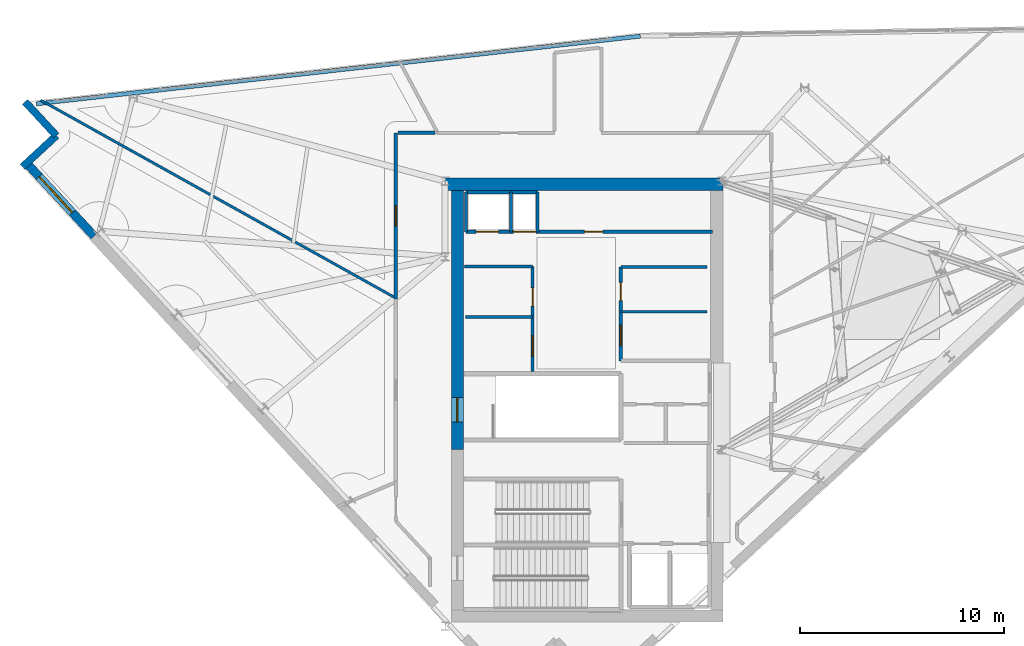
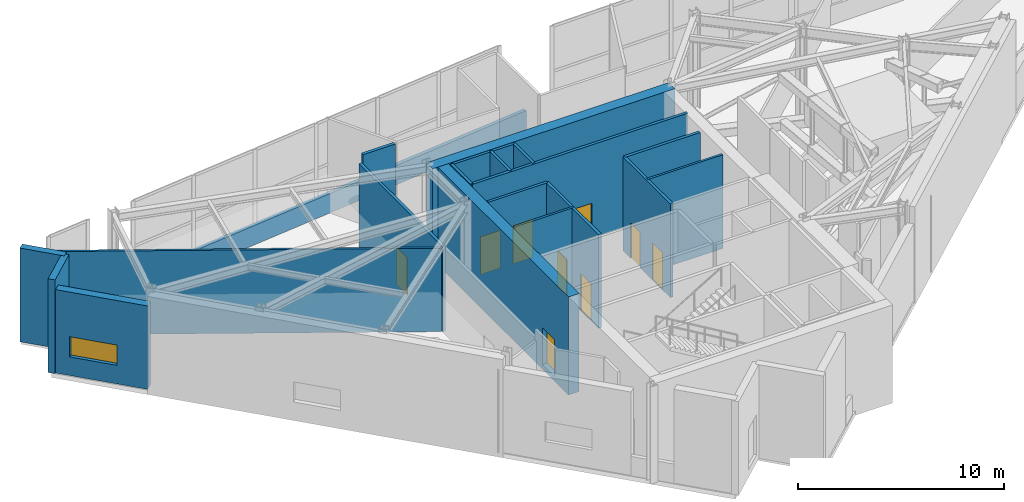
# One storey, part 10 of 15: 20 walls, 9 doors, 1 window, 10 openings.
"""IFC4 building model written with IfcOpenShell, lengths in metres."""

from ifc_helpers import new_model, si_unit, direction, frame, frame_2d, origin, place, context, subcontext, project, spatial, rectangle, extrude, material, layer, layer_set, type_object, element, fill, save


model = new_model("IFC4")

# Units and contexts
model_context = context("Model", 3, precision=1e-05, world=origin(), true_north=direction((0.0, 1.0)))
body_context = subcontext(model_context, "Body", "Model", "MODEL_VIEW")
ifc_project = project(units=[si_unit("LENGTHUNIT", "METRE"), si_unit("AREAUNIT", "SQUARE_METRE"), si_unit("VOLUMEUNIT", "CUBIC_METRE"), si_unit("PLANEANGLEUNIT", "RADIAN"), si_unit("MASSUNIT", "GRAM", prefix="KILO")], contexts=[model_context])

# Site, building, storey
site_placement = place(None, origin())
site = spatial("IfcSite", under=ifc_project, at=site_placement, CompositionType="ELEMENT")
building_placement = place(site_placement, origin())
building = spatial("IfcBuilding", under=site, at=building_placement, Name="Narakoshi Arena Tower", CompositionType="ELEMENT")
storey_placement = place(building_placement, frame((0.0, 0.0, 292.419921875)))
storey = spatial("IfcBuildingStorey", under=building, at=storey_placement, Name="L80", CompositionType="ELEMENT", Elevation=292.419921875)

# Wall, opening, door
ifc_material_1 = material(Name="Concrete C50/60", Category="concrete")
ifc_layer_1 = layer(ifc_material_1, 0.60009765625)
ifc_layer_set_1 = layer_set([ifc_layer_1], Name="Concrete C50/60")
wall_type_1 = type_object("IfcWallType", Name="WL-CORE-600", PredefinedType="SHEAR", material=ifc_layer_set_1)
wall_1_placement = place(storey_placement, frame((72.60009765625, 43.35009765625, -0.260009765625), z_axis=(0.0, 0.0, 1.0), x_axis=(0.0, 1.0, 0.0)))
wall_1 = element("IfcWall", 1, at=wall_1_placement, inside=storey, type_object=wall_type_1, Name="L80 Main Core Shear Wall CW-MN-W", PredefinedType="SHEAR", context=body_context, shape_type="SweptSolid", body=[
    extrude(rectangle(XDim=12.699951171875, YDim=0.60009765625, at=frame_2d((6.35009765625, 0.0))), origin(), (0.0, 0.0, 1.0), 5.820068359375),
])
opening_1_placement = place(wall_1_placement, frame((1.35009765625, 0.0, 0.260009765625)))
opening_1 = element("IfcOpeningElement", 2, at=opening_1_placement, cuts=wall_1, Name="Opening D-03", PredefinedType="OPENING", context=body_context, shape_type="SweptSolid", body=[
    extrude(rectangle(XDim=1.199951171875, YDim=2.199951171875, at=frame_2d((0.60009765625, 1.10009765625))), frame((0.0, 0.31005859375, 0.0), z_axis=(0.0, -1.0, 0.0), x_axis=(1.0, 0.0, 0.0)), (0.0, 0.0, 1.0), 0.6201171875),
])
ifc_material_2 = material(Name="Painted galvanized steel", Category="steel")
door_type_1 = type_object("IfcDoorType", Name="DR-STR-1200", OperationType="NOTDEFINED", PredefinedType="USERDEFINED", material=ifc_material_2)
door_1_placement = place(opening_1_placement, frame((1.199951171875, 0.0, 0.0), z_axis=(0.0, 0.0, 1.0), x_axis=(-1.0, 0.0, 0.0)))
door_1 = element("IfcDoor", 3, at=door_1_placement, inside=storey, type_object=door_type_1, Name="DR-L80-006", ObjectType="EXITDOOR", OperationType="SINGLE_SWING_LEFT", OverallHeight=2.199951171875, OverallWidth=1.199951171875, PredefinedType="USERDEFINED", context=body_context, shape_type="SweptSolid", body=[
    extrude(rectangle(XDim=1.199951171875, YDim=2.199951171875, at=frame_2d((0.60009765625, 1.10009765625))), frame((0.0, 0.02490234375, 0.0), z_axis=(0.0, -1.0, 0.0), x_axis=(1.0, 0.0, 0.0)), (0.0, 0.0, 1.0), 0.050048828125),
])
fill(opening_1, door_1)

# Wall
wall_2_placement = place(storey_placement, frame((72.0, 56.35009765625, -0.260009765625), z_axis=(0.0, 0.0, 1.0), x_axis=(1.0, 0.0, 0.0)))
element("IfcWall", 4, at=wall_2_placement, inside=storey, type_object=wall_type_1, Name="L80 Main Core Shear Wall CW-MN-N", PredefinedType="SHEAR", context=body_context, shape_type="SweptSolid", body=[
    extrude(rectangle(XDim=13.60009765625, YDim=0.60009765625, at=frame_2d((6.800048828125, 0.0))), origin(), (0.0, 0.0, 1.0), 5.820068359375),
])

# Wall, opening, door
ifc_material_3 = material(Name="Gypsum plasterboard fire-rated partition")
ifc_layer_2 = layer(ifc_material_3, 0.1650390625)
ifc_layer_set_2 = layer_set([ifc_layer_2], Name="Gypsum plasterboard fire-rated partition")
wall_type_2 = type_object("IfcWallType", Name="WL-CORR-165", PredefinedType="PARTITIONING", material=ifc_layer_set_2)
wall_3_placement = place(storey_placement, frame((69.583251953125, 58.86669921875, 0.0), z_axis=(0.0, 0.0, 1.0), x_axis=(0.0, -1.0, 0.0)))
wall_3 = element("IfcWall", 5, at=wall_3_placement, inside=storey, type_object=wall_type_2, Name="L80 Corridor Partition 08-1", PredefinedType="PARTITIONING", context=body_context, shape_type="SweptSolid", body=[
    extrude(rectangle(XDim=8.133544921875, YDim=0.1650390625, at=frame_2d((4.06689453125, 0.0))), origin(), (0.0, 0.0, 1.0), 5.045166015625),
])
opening_2_placement = place(wall_3_placement, frame((3.56689453125, 0.0, 0.0)))
opening_2 = element("IfcOpeningElement", 6, at=opening_2_placement, cuts=wall_3, Name="Opening D-06", PredefinedType="OPENING", context=body_context, shape_type="SweptSolid", body=[
    extrude(rectangle(XDim=1.0, YDim=2.199951171875, at=frame_2d((0.5, 1.10009765625))), frame((0.0, 0.092529296875, 0.0), z_axis=(0.0, -1.0, 0.0), x_axis=(1.0, 0.0, 0.0)), (0.0, 0.0, 1.0), 0.18505859375),
])
ifc_material_4 = material(Name="Stained oak solid-core timber", Category="wood")
door_type_2 = type_object("IfcDoorType", Name="DR-OFF-1000", OperationType="NOTDEFINED", PredefinedType="DOOR", material=ifc_material_4)
door_2_placement = place(opening_2_placement, frame((1.0, 0.0, 0.0), z_axis=(0.0, 0.0, 1.0), x_axis=(-1.0, 0.0, 0.0)))
door_2 = element("IfcDoor", 7, at=door_2_placement, inside=storey, type_object=door_type_2, Name="DR-L80-024", OperationType="SINGLE_SWING_LEFT", OverallHeight=2.199951171875, OverallWidth=1.0, PredefinedType="DOOR", context=body_context, shape_type="SweptSolid", body=[
    extrude(rectangle(XDim=1.0, YDim=2.199951171875, at=frame_2d((0.5, 1.10009765625))), frame((0.0, 0.02490234375, 0.0), z_axis=(0.0, -1.0, 0.0), x_axis=(1.0, 0.0, 0.0)), (0.0, 0.0, 1.0), 0.050048828125),
])
fill(opening_2, door_2)

# Walls
wall_4_placement = place(storey_placement, frame((71.499267578125, 58.86669921875, 0.0), z_axis=(0.0, 0.0, 1.0), x_axis=(-1.0, 0.0, 0.0)))
element("IfcWall", 8, at=wall_4_placement, inside=storey, type_object=wall_type_2, Name="L80 Corridor Partition 08-2", PredefinedType="PARTITIONING", context=body_context, shape_type="SweptSolid", body=[
    extrude(rectangle(XDim=1.821533203125, YDim=0.1650390625, at=frame_2d((0.91064453125, 0.0))), origin(), (0.0, 0.0, 1.0), 5.56005859375),
])
ifc_material_5 = material(Name="Precast concrete C45/55", Category="concrete")
ifc_layer_3 = layer(ifc_material_5, 0.25)
ifc_layer_set_3 = layer_set([ifc_layer_3], Name="Precast concrete C45/55")
wall_type_3 = type_object("IfcWallType", Name="WL-PARA-250", PredefinedType="PARAPET", material=ifc_layer_set_3)
wall_5_placement = place(storey_placement, frame((81.556640625, 63.603759765625, 0.0), z_axis=(0.0, 0.0, 1.0), x_axis=(-0.993775831398, -0.111398370403, 0.0)))
element("IfcWall", 9, at=wall_5_placement, inside=storey, type_object=wall_type_3, Name="L80 Hypotenuse Sill Upstand Parapet 2-01", PredefinedType="PARAPET", context=body_context, shape_type="SweptSolid", body=[
    extrude(rectangle(XDim=29.76416015625, YDim=0.199951171875, at=frame_2d((14.882080078125, 0.0))), origin(), (0.0, 0.0, 1.0), 1.150146484375),
])
ifc_layer_4 = layer(ifc_material_3, 0.125)
ifc_layer_set_4 = layer_set([ifc_layer_4], Name="Gypsum plasterboard fire-rated partition")
wall_type_4 = type_object("IfcWallType", Name="WL-PART-125", PredefinedType="PARTITIONING", material=ifc_layer_set_4)
wall_6_placement = place(storey_placement, frame((73.0, 49.85009765625, 0.0), z_axis=(0.0, 0.0, 1.0), x_axis=(1.0, 0.0, 0.0)))
element("IfcWall", 10, at=wall_6_placement, inside=storey, type_object=wall_type_4, Name="L80 Core Wall RCL-LR-D0", PredefinedType="PARTITIONING", context=body_context, shape_type="SweptSolid", body=[
    extrude(rectangle(XDim=3.280029296875, YDim=0.125, at=frame_2d((1.64013671875, 0.0))), origin(), (0.0, 0.0, 1.0), 5.56005859375),
])
wall_7_placement = place(storey_placement, frame((80.60009765625, 50.10009765625, 0.0), z_axis=(0.0, 0.0, 1.0), x_axis=(1.0, 0.0, 0.0)))
element("IfcWall", 11, at=wall_7_placement, inside=storey, type_object=wall_type_4, Name="L80 Core Wall RCL-MR-D", PredefinedType="PARTITIONING", context=body_context, shape_type="SweptSolid", body=[
    extrude(rectangle(XDim=4.219970703125, YDim=0.125, at=frame_2d((2.10986328125, 0.0))), origin(), (0.0, 0.0, 1.0), 5.56005859375),
])
wall_8_placement = place(storey_placement, frame((69.48876953125, 50.8271484375, 0.0), z_axis=(0.0, 0.0, 1.0), x_axis=(-0.873486229604, 0.486848854053, 0.0)))
element("IfcWall", 12, at=wall_8_placement, inside=storey, type_object=wall_type_4, Name="L80 Inter-Room Partition 08-09", PredefinedType="PARTITIONING", context=body_context, shape_type="SweptSolid", body=[
    extrude(rectangle(XDim=19.8115234375, YDim=0.125, at=frame_2d((9.90576171875, 0.0))), origin(), (0.0, 0.0, 1.0), 4.945068359375),
])

# Wall, opening, window
ifc_layer_5 = layer(ifc_material_5, 0.419921875)
ifc_layer_set_5 = layer_set([ifc_layer_5], Name="Precast concrete C45/55")
wall_type_5 = type_object("IfcWallType", Name="WL-POD-420", PredefinedType="SOLIDWALL", material=ifc_layer_set_5)
wall_9_placement = place(storey_placement, frame((51.5, 57.38720703125, 0.0), z_axis=(0.0, 0.0, 1.0), x_axis=(0.67880684669, -0.734316869537, 0.0)))
wall_9 = element("IfcWall", 13, at=wall_9_placement, inside=storey, type_object=wall_type_5, Name="L80 Architectural Concrete Facade Wall LEGB-1", PredefinedType="SOLIDWALL", context=body_context, shape_type="SweptSolid", body=[
    extrude(rectangle(XDim=4.86865234375, YDim=0.419921875, at=frame_2d((2.434326171875, 0.0))), origin(), (0.0, 0.0, 1.0), 4.945068359375),
])
opening_3_placement = place(wall_9_placement, frame((0.89990234375, 0.0, 1.10009765625)))
opening_3 = element("IfcOpeningElement", 14, at=opening_3_placement, cuts=wall_9, Name="Opening WN-04", PredefinedType="OPENING", context=body_context, shape_type="SweptSolid", body=[
    extrude(rectangle(XDim=2.39990234375, YDim=1.199951171875, at=frame_2d((1.199951171875, 0.60009765625))), frame((0.0, 0.219970703125, 0.0), z_axis=(0.0, -1.0, 0.0), x_axis=(1.0, 0.0, 0.0)), (0.0, 0.0, 1.0), 0.43994140625),
])
ifc_material_6 = material(Name="Bronze-tinted low-E laminated glass", Category="glass")
window_type = type_object("IfcWindowType", Name="WIN-SLT-24x12", PartitioningType="SINGLE_PANEL", PredefinedType="WINDOW", material=ifc_material_6)
window_placement = place(opening_3_placement, origin())
window = element("IfcWindow", 15, at=window_placement, inside=storey, type_object=window_type, Name="L80 LEGB1 Horizontal Slot Window 1", OverallHeight=1.199951171875, OverallWidth=2.39990234375, PartitioningType="SINGLE_PANEL", PredefinedType="WINDOW", context=body_context, shape_type="SweptSolid", body=[
    extrude(rectangle(XDim=2.39990234375, YDim=1.199951171875, at=frame_2d((1.199951171875, 0.60009765625))), frame((0.0, 0.030029296875, 0.0), z_axis=(0.0, -1.0, 0.0), x_axis=(1.0, 0.0, 0.0)), (0.0, 0.0, 1.0), 0.06005859375),
])
fill(opening_3, window)

# Walls
for number, where, z_axis, x_axis, name in (
    (16, (51.42333984375, 60.38720703125, 0.0), (0.0, 0.0, 1.0), (0.678792531533, -0.734330102294, 0.0), "L80 Re-Entrant Corner Notch Wall NTN-1"),
    (17, (52.9541015625, 58.731201171875, 0.0), (0.0, 0.0, 1.0), (-0.734330102294, -0.678792531533, 0.0), "L80 Re-Entrant Corner Notch Wall NTN-2"),
):
    element("IfcWall", number, at=place(storey_placement, frame(where, z_axis=z_axis, x_axis=x_axis)), inside=storey, type_object=wall_type_5, Name=name, PredefinedType="SOLIDWALL", context=body_context, shape_type="SweptSolid", body=[
        extrude(rectangle(XDim=2.255126953125, YDim=0.360107421875, at=frame_2d((1.12744140625, 0.0))), origin(), (0.0, 0.0, 1.0), 5.56005859375),
    ])
ifc_material_7 = material(Name="Concrete C40/50", Category="concrete")
ifc_layer_6 = layer(ifc_material_7, 0.280029296875)
ifc_layer_set_6 = layer_set([ifc_layer_6], Name="Concrete C40/50")
wall_type_6 = type_object("IfcWallType", Name="WL-RISER-280", PredefinedType="PLUMBINGWALL", material=ifc_layer_set_6)
for number, where, z_axis, x_axis, name in (
    (18, (73.02001953125, 54.02001953125, 0.0), (0.0, 0.0, 1.0), (0.0, 1.0, 0.0), "L80 Core Wall OBS-W"),
    (19, (75.219970703125, 54.02001953125, 0.0), (0.0, 0.0, 1.0), (0.0, 1.0, 0.0), "L80 Core Wall OBS-M"),
):
    element("IfcWall", number, at=place(storey_placement, frame(where, z_axis=z_axis, x_axis=x_axis)), inside=storey, type_object=wall_type_6, Name=name, PredefinedType="PLUMBINGWALL", context=body_context, shape_type="SweptSolid", body=[
        extrude(rectangle(XDim=1.93994140625, YDim=0.14990234375, at=frame_2d((0.969970703125, 0.0))), origin(), (0.0, 0.0, 1.0), 5.56005859375),
    ])

# Wall, openings, doors
ifc_layer_7 = layer(ifc_material_1, 0.35009765625)
ifc_layer_set_7 = layer_set([ifc_layer_7], Name="Concrete C50/60")
wall_type_7 = type_object("IfcWallType", Name="WL-SHAFT-350", PredefinedType="SOLIDWALL", material=ifc_layer_set_7)
wall_10_placement = place(storey_placement, frame((76.280029296875, 47.179931640625, 0.0), z_axis=(0.0, 0.0, 1.0), x_axis=(0.0, 1.0, 0.0)))
wall_10 = element("IfcWall", 20, at=wall_10_placement, inside=storey, type_object=wall_type_7, Name="L80 Core Wall LR-E", PredefinedType="SOLIDWALL", context=body_context, shape_type="SweptSolid", body=[
    extrude(rectangle(XDim=5.14013671875, YDim=0.159912109375, at=frame_2d((2.570068359375, 0.0))), origin(), (0.0, 0.0, 1.0), 5.56005859375),
])
opening_4_placement = place(wall_10_placement, frame((0.75, 0.0, 0.0)))
opening_4 = element("IfcOpeningElement", 21, at=opening_4_placement, cuts=wall_10, Name="Opening D-06", PredefinedType="OPENING", context=body_context, shape_type="SweptSolid", body=[
    extrude(rectangle(XDim=1.0, YDim=2.199951171875, at=frame_2d((0.5, 1.10009765625))), frame((0.0, 0.08984375, 0.0), z_axis=(0.0, -1.0, 0.0), x_axis=(1.0, 0.0, 0.0)), (0.0, 0.0, 1.0), 0.179931640625),
])
opening_5_placement = place(wall_10_placement, frame((3.199951171875, 0.0, 0.0)))
opening_5 = element("IfcOpeningElement", 22, at=opening_5_placement, cuts=wall_10, Name="Opening D-08", PredefinedType="OPENING", context=body_context, shape_type="SweptSolid", body=[
    extrude(rectangle(XDim=0.89990234375, YDim=2.10009765625, at=frame_2d((0.449951171875, 1.050048828125))), frame((0.0, 0.08984375, 0.0), z_axis=(0.0, -1.0, 0.0), x_axis=(1.0, 0.0, 0.0)), (0.0, 0.0, 1.0), 0.179931640625),
])
door_3_placement = place(opening_4_placement, frame((1.0, 0.0, 0.0), z_axis=(0.0, 0.0, 1.0), x_axis=(-1.0, 0.0, 0.0)))
door_3 = element("IfcDoor", 23, at=door_3_placement, inside=storey, type_object=door_type_2, Name="DR-L80-010", OperationType="SINGLE_SWING_LEFT", OverallHeight=2.199951171875, OverallWidth=1.0, PredefinedType="DOOR", context=body_context, shape_type="SweptSolid", body=[
    extrude(rectangle(XDim=1.0, YDim=2.199951171875, at=frame_2d((0.5, 1.10009765625))), frame((0.0, 0.02490234375, 0.0), z_axis=(0.0, -1.0, 0.0), x_axis=(1.0, 0.0, 0.0)), (0.0, 0.0, 1.0), 0.050048828125),
])
fill(opening_4, door_3)
ifc_material_8 = material(Name="Moisture-resistant laminate timber", Category="wood")
door_type_3 = type_object("IfcDoorType", Name="DR-WC-900", OperationType="NOTDEFINED", PredefinedType="DOOR", material=ifc_material_8)
door_4_placement = place(opening_5_placement, frame((0.89990234375, 0.0, 0.0), z_axis=(0.0, 0.0, 1.0), x_axis=(-1.0, 0.0, 0.0)))
door_4 = element("IfcDoor", 24, at=door_4_placement, inside=storey, type_object=door_type_3, Name="DR-L80-011", OperationType="SINGLE_SWING_RIGHT", OverallHeight=2.10009765625, OverallWidth=0.89990234375, PredefinedType="DOOR", context=body_context, shape_type="SweptSolid", body=[
    extrude(rectangle(XDim=0.89990234375, YDim=2.10009765625, at=frame_2d((0.449951171875, 1.050048828125))), frame((0.0, 0.02490234375, 0.0), z_axis=(0.0, -1.0, 0.0), x_axis=(1.0, 0.0, 0.0)), (0.0, 0.0, 1.0), 0.050048828125),
])
fill(opening_5, door_4)

# Wall
wall_11_placement = place(storey_placement, frame((72.949951171875, 52.320068359375, 0.0), z_axis=(0.0, 0.0, 1.0), x_axis=(1.0, 0.0, 0.0)))
element("IfcWall", 25, at=wall_11_placement, inside=storey, type_object=wall_type_7, Name="L80 Core Wall LR-N", PredefinedType="SOLIDWALL", context=body_context, shape_type="SweptSolid", body=[
    extrude(rectangle(XDim=3.330078125, YDim=0.14990234375, at=frame_2d((1.6650390625, 0.0))), origin(), (0.0, 0.0, 1.0), 5.56005859375),
])

# Wall, openings, doors
wall_12_placement = place(storey_placement, frame((80.60009765625, 47.699951171875, 0.0), z_axis=(0.0, 0.0, 1.0), x_axis=(0.0, 1.0, 0.0)))
wall_12 = element("IfcWall", 26, at=wall_12_placement, inside=storey, type_object=wall_type_7, Name="L80 Core Wall MR-W", PredefinedType="SOLIDWALL", context=body_context, shape_type="SweptSolid", body=[
    extrude(rectangle(XDim=4.60009765625, YDim=0.159912109375, at=frame_2d((2.300048828125, 0.0))), origin(), (0.0, 0.0, 1.0), 5.56005859375),
])
opening_6_placement = place(wall_12_placement, frame((0.75, 0.0, 0.0)))
opening_6 = element("IfcOpeningElement", 27, at=opening_6_placement, cuts=wall_12, Name="Opening D-06", PredefinedType="OPENING", context=body_context, shape_type="SweptSolid", body=[
    extrude(rectangle(XDim=1.0, YDim=2.199951171875, at=frame_2d((0.5, 1.10009765625))), frame((0.0, 0.08984375, 0.0), z_axis=(0.0, -1.0, 0.0), x_axis=(1.0, 0.0, 0.0)), (0.0, 0.0, 1.0), 0.179931640625),
])
opening_7_placement = place(wall_12_placement, frame((2.949951171875, 0.0, 0.0)))
opening_7 = element("IfcOpeningElement", 28, at=opening_7_placement, cuts=wall_12, Name="Opening D-08", PredefinedType="OPENING", context=body_context, shape_type="SweptSolid", body=[
    extrude(rectangle(XDim=0.89990234375, YDim=2.10009765625, at=frame_2d((0.449951171875, 1.050048828125))), frame((0.0, 0.08984375, 0.0), z_axis=(0.0, -1.0, 0.0), x_axis=(1.0, 0.0, 0.0)), (0.0, 0.0, 1.0), 0.179931640625),
])
door_5_placement = place(opening_6_placement, origin())
door_5 = element("IfcDoor", 29, at=door_5_placement, inside=storey, type_object=door_type_2, Name="DR-L80-012", OperationType="SINGLE_SWING_RIGHT", OverallHeight=2.199951171875, OverallWidth=1.0, PredefinedType="DOOR", context=body_context, shape_type="SweptSolid", body=[
    extrude(rectangle(XDim=1.0, YDim=2.199951171875, at=frame_2d((0.5, 1.10009765625))), frame((0.0, 0.02490234375, 0.0), z_axis=(0.0, -1.0, 0.0), x_axis=(1.0, 0.0, 0.0)), (0.0, 0.0, 1.0), 0.050048828125),
])
fill(opening_6, door_5)
door_6_placement = place(opening_7_placement, origin())
door_6 = element("IfcDoor", 30, at=door_6_placement, inside=storey, type_object=door_type_3, Name="DR-L80-013", OperationType="SINGLE_SWING_LEFT", OverallHeight=2.10009765625, OverallWidth=0.89990234375, PredefinedType="DOOR", context=body_context, shape_type="SweptSolid", body=[
    extrude(rectangle(XDim=0.89990234375, YDim=2.10009765625, at=frame_2d((0.449951171875, 1.050048828125))), frame((0.0, 0.02490234375, 0.0), z_axis=(0.0, -1.0, 0.0), x_axis=(1.0, 0.0, 0.0)), (0.0, 0.0, 1.0), 0.050048828125),
])
fill(opening_7, door_6)

# Wall
wall_13_placement = place(storey_placement, frame((80.60009765625, 52.300048828125, 0.0), z_axis=(0.0, 0.0, 1.0), x_axis=(1.0, 0.0, 0.0)))
element("IfcWall", 31, at=wall_13_placement, inside=storey, type_object=wall_type_7, Name="L80 Core Wall MR-N", PredefinedType="SOLIDWALL", context=body_context, shape_type="SweptSolid", body=[
    extrude(rectangle(XDim=4.219970703125, YDim=0.159912109375, at=frame_2d((2.10986328125, 0.0))), origin(), (0.0, 0.0, 1.0), 5.56005859375),
])

# Wall, openings, doors
wall_14_placement = place(storey_placement, frame((73.02001953125, 54.02001953125, 0.0), z_axis=(0.0, 0.0, 1.0), x_axis=(1.0, 0.0, 0.0)))
wall_14 = element("IfcWall", 32, at=wall_14_placement, inside=storey, type_object=wall_type_7, Name="L80 Core Wall NSHF-S", PredefinedType="SOLIDWALL", context=body_context, shape_type="SweptSolid", body=[
    extrude(rectangle(XDim=12.080078125, YDim=0.159912109375, at=frame_2d((6.0400390625, 0.0))), origin(), (0.0, 0.0, 1.0), 5.56005859375),
])
opening_8_placement = place(wall_14_placement, frame((0.5, 0.0, 0.0)))
opening_8 = element("IfcOpeningElement", 33, at=opening_8_placement, cuts=wall_14, Name="Opening LD-01", PredefinedType="OPENING", context=body_context, shape_type="SweptSolid", body=[
    extrude(rectangle(XDim=1.10009765625, YDim=2.25, at=frame_2d((0.550048828125, 1.125))), frame((0.0, 0.08984375, 0.0), z_axis=(0.0, -1.0, 0.0), x_axis=(1.0, 0.0, 0.0)), (0.0, 0.0, 1.0), 0.179931640625),
])
opening_9_placement = place(wall_14_placement, frame((2.320068359375, 0.0, 0.0)))
opening_9 = element("IfcOpeningElement", 34, at=opening_9_placement, cuts=wall_14, Name="Opening LD-01", PredefinedType="OPENING", context=body_context, shape_type="SweptSolid", body=[
    extrude(rectangle(XDim=1.10009765625, YDim=2.25, at=frame_2d((0.550048828125, 1.125))), frame((0.0, 0.08984375, 0.0), z_axis=(0.0, -1.0, 0.0), x_axis=(1.0, 0.0, 0.0)), (0.0, 0.0, 1.0), 0.179931640625),
])
opening_10_placement = place(wall_14_placement, frame((5.800048828125, 0.0, 0.0)))
opening_10 = element("IfcOpeningElement", 35, at=opening_10_placement, cuts=wall_14, Name="Opening D-08", PredefinedType="OPENING", context=body_context, shape_type="SweptSolid", body=[
    extrude(rectangle(XDim=0.89990234375, YDim=2.10009765625, at=frame_2d((0.449951171875, 1.050048828125))), frame((0.0, 0.08984375, 0.0), z_axis=(0.0, -1.0, 0.0), x_axis=(1.0, 0.0, 0.0)), (0.0, 0.0, 1.0), 0.179931640625),
])
ifc_material_9 = material(Name="Brushed bronze stainless steel", Category="steel")
door_type_4 = type_object("IfcDoorType", Name="DR-LFT-1100", OperationType="DOUBLE_DOOR_SLIDING", PredefinedType="DOOR", material=ifc_material_9)
door_7_placement = place(opening_8_placement, origin())
door_7 = element("IfcDoor", 36, at=door_7_placement, inside=storey, type_object=door_type_4, Name="DR-L80-014", OperationType="DOUBLE_DOOR_SLIDING", OverallHeight=2.25, OverallWidth=1.10009765625, PredefinedType="DOOR", context=body_context, shape_type="SweptSolid", body=[
    extrude(rectangle(XDim=1.10009765625, YDim=2.25, at=frame_2d((0.550048828125, 1.125))), frame((0.0, 0.02490234375, 0.0), z_axis=(0.0, -1.0, 0.0), x_axis=(1.0, 0.0, 0.0)), (0.0, 0.0, 1.0), 0.050048828125),
])
fill(opening_8, door_7)
door_8_placement = place(opening_9_placement, origin())
door_8 = element("IfcDoor", 37, at=door_8_placement, inside=storey, type_object=door_type_4, Name="DR-L80-015", OperationType="DOUBLE_DOOR_SLIDING", OverallHeight=2.25, OverallWidth=1.10009765625, PredefinedType="DOOR", context=body_context, shape_type="SweptSolid", body=[
    extrude(rectangle(XDim=1.10009765625, YDim=2.25, at=frame_2d((0.550048828125, 1.125))), frame((0.0, 0.02490234375, 0.0), z_axis=(0.0, -1.0, 0.0), x_axis=(1.0, 0.0, 0.0)), (0.0, 0.0, 1.0), 0.050048828125),
])
fill(opening_9, door_8)
door_9_placement = place(opening_10_placement, origin())
door_9 = element("IfcDoor", 38, at=door_9_placement, inside=storey, type_object=door_type_3, Name="DR-L80-016", OperationType="SINGLE_SWING_LEFT", OverallHeight=2.10009765625, OverallWidth=0.89990234375, PredefinedType="DOOR", context=body_context, shape_type="SweptSolid", body=[
    extrude(rectangle(XDim=0.89990234375, YDim=2.10009765625, at=frame_2d((0.449951171875, 1.050048828125))), frame((0.0, 0.02490234375, 0.0), z_axis=(0.0, -1.0, 0.0), x_axis=(1.0, 0.0, 0.0)), (0.0, 0.0, 1.0), 0.050048828125),
])
fill(opening_10, door_9)

# Walls
wall_15_placement = place(storey_placement, frame((73.02001953125, 55.9599609375, 0.0), z_axis=(0.0, 0.0, 1.0), x_axis=(1.0, 0.0, 0.0)))
element("IfcWall", 39, at=wall_15_placement, inside=storey, type_object=wall_type_7, Name="L80 Core Wall OBS-N", PredefinedType="SOLIDWALL", context=body_context, shape_type="SweptSolid", body=[
    extrude(rectangle(XDim=3.5, YDim=0.14990234375, at=frame_2d((1.75, 0.0))), origin(), (0.0, 0.0, 1.0), 5.56005859375),
])
wall_16_placement = place(storey_placement, frame((76.52001953125, 54.02001953125, 0.0), z_axis=(0.0, 0.0, 1.0), x_axis=(0.0, 1.0, 0.0)))
element("IfcWall", 40, at=wall_16_placement, inside=storey, type_object=wall_type_7, Name="L80 Core Wall OBS-E", PredefinedType="SOLIDWALL", context=body_context, shape_type="SweptSolid", body=[
    extrude(rectangle(XDim=1.93994140625, YDim=0.14990234375, at=frame_2d((0.969970703125, 0.0))), origin(), (0.0, 0.0, 1.0), 5.56005859375),
])

save(model, "model.ifc")
